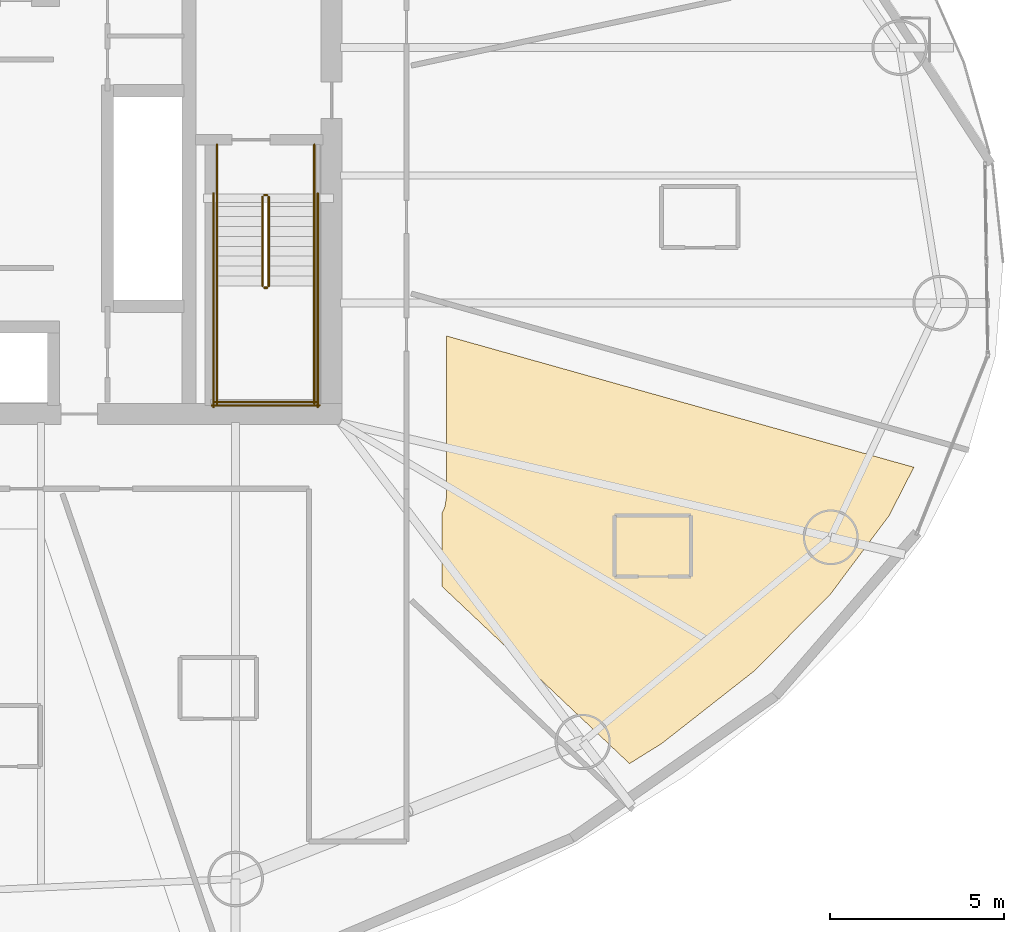
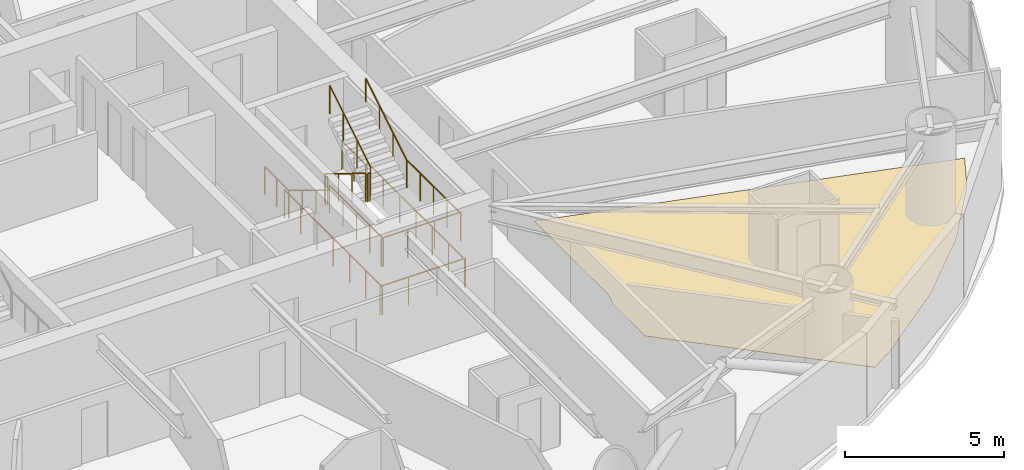
# One storey, part 25 of 26: 14 railings, 1 covering.
"""IFC4 building model written with IfcOpenShell, lengths in metres."""

import ifcopenshell
import ifcopenshell.guid

model = None  # the IFC model being written
_history = None  # IfcOwnerHistory: only IFC2X3 demands one
_inside = {}  # id of a spatial element -> (the spatial element, [elements in it])
_under = {}  # id of a project, library or spatial element -> (it, [spatial elements below it])
_declared = {}  # id of a project -> (the project, [libraries it declares])
_typed = {}  # id of a type object -> (the type object, [elements of that type])
_made_of = {}  # id of a material, layer set ... -> (it, [elements and type objects made of it])


def new_model(schema):
    """Start an empty IFC model of exactly this schema.

    Asked for "IFC4X3", IfcOpenShell would pick the latest addendum, in which some entities
    have other attributes; the version numbers below select the first issue.
    IFC2X3 requires an IfcOwnerHistory on every rooted entity: one is made here for all.
    """
    global model, _history
    if schema == "IFC4X3":
        model = ifcopenshell.file(schema_version=(4, 3, 0, 0))
    else:
        model = ifcopenshell.file(schema=schema)
    _inside.clear()
    _under.clear()
    _declared.clear()
    _typed.clear()
    _made_of.clear()
    _history = None
    if model.schema == "IFC2X3":
        org = make("IfcOrganization", Name="unknown")
        user = make(
            "IfcPersonAndOrganization",
            ThePerson=make("IfcPerson", FamilyName="unknown"),
            TheOrganization=org,
        )
        app = make(
            "IfcApplication",
            ApplicationDeveloper=org,
            Version="unknown",
            ApplicationFullName="unknown",
            ApplicationIdentifier="unknown",
        )
        _history = make(
            "IfcOwnerHistory",
            OwningUser=user,
            OwningApplication=app,
            ChangeAction="ADDED",
            CreationDate=0,
        )
    return model


def make(cls, **values):
    """One entity of the class cls with the attributes given. An attribute that is None is left unset."""
    return model.create_entity(
        cls, **{name: value for name, value in values.items() if value is not None}
    )


def rooted(cls, **values):
    """An entity with a GlobalId (a new one), such as an element, a storey or a relation."""
    return make(cls, GlobalId=ifcopenshell.guid.new(), OwnerHistory=_history, **values)


def si_unit(unit_type, name, prefix=None):
    """IfcSIUnit, for example si_unit("LENGTHUNIT", "METRE", prefix="MILLI")."""
    return make("IfcSIUnit", UnitType=unit_type, Prefix=prefix, Name=name)


def assignment(units):
    """IfcUnitAssignment: the units of a project."""
    return None if units is None else make("IfcUnitAssignment", Units=units)


def point(xyz):
    """IfcCartesianPoint."""
    return None if xyz is None else make("IfcCartesianPoint", Coordinates=xyz)


def direction(xyz):
    """IfcDirection."""
    return None if xyz is None else make("IfcDirection", DirectionRatios=xyz)


def frame(location, z_axis=None, x_axis=None):
    """IfcAxis2Placement3D, a coordinate frame: its origin and axes. An axis left out is left unset."""
    return make(
        "IfcAxis2Placement3D",
        Location=point(location),
        Axis=direction(z_axis),
        RefDirection=direction(x_axis),
    )


def frame_2d(location, x_axis=None):
    """IfcAxis2Placement2D, a coordinate frame in the plane: its origin and x axis."""
    return make(
        "IfcAxis2Placement2D", Location=point(location), RefDirection=direction(x_axis)
    )


def origin():
    """The frame at (0, 0, 0) with its axes left unset."""
    return frame((0.0, 0.0, 0.0))


def origin_2d():
    """The frame at (0, 0) in the plane with its x axis left unset."""
    return frame_2d((0.0, 0.0))


def place(relative_to, where):
    """IfcLocalPlacement: puts the frame where relative to a parent placement (None: the world)."""
    return make(
        "IfcLocalPlacement", PlacementRelTo=relative_to, RelativePlacement=where
    )


def context(
    kind, dimensions, precision=None, world=None, true_north=None, identifier=None
):
    """IfcGeometricRepresentationContext, for example the 3D "Model" context."""
    return make(
        "IfcGeometricRepresentationContext",
        ContextIdentifier=identifier,
        ContextType=kind,
        CoordinateSpaceDimension=dimensions,
        Precision=precision,
        WorldCoordinateSystem=world,
        TrueNorth=true_north,
    )


def subcontext(parent, identifier, kind, view, scale=None):
    """IfcGeometricRepresentationSubContext, for example "Body" below "Model"."""
    return make(
        "IfcGeometricRepresentationSubContext",
        ContextIdentifier=identifier,
        ContextType=kind,
        ParentContext=parent,
        TargetScale=scale,
        TargetView=view,
    )


def project(units=None, contexts=None):
    """IfcProject with its units and contexts."""
    return rooted(
        "IfcProject",
        Name="project",
        RepresentationContexts=contexts,
        UnitsInContext=assignment(units),
    )


def spatial(cls, under=None, at=None, **own):
    """A site, building, storey or space (cls), placed at a placement, below another one or the project."""
    s = rooted(cls, ObjectPlacement=at, **own)
    if under is not None:
        _under.setdefault(under.id(), (under, []))[1].append(s)
    return s


def polyline(points):
    """IfcPolyline through the points."""
    return make("IfcPolyline", Points=[point(p) for p in points])


def profile(cls, at=None, kind="AREA", **sizes):
    """A parametric profile (cls). Its sizes go by their IFC names, for example OverallWidth=200.0."""
    return make(cls, ProfileType=kind, Position=at, **sizes)


def circle(**sizes):
    """IfcCircleProfileDef."""
    return profile("IfcCircleProfileDef", **sizes)


def outline(outer, holes=None, kind="AREA"):
    """IfcArbitraryClosedProfileDef: a profile drawn as a closed curve; with holes, ...WithVoids."""
    if holes is None:
        return make("IfcArbitraryClosedProfileDef", ProfileType=kind, OuterCurve=outer)
    return make(
        "IfcArbitraryProfileDefWithVoids",
        ProfileType=kind,
        OuterCurve=outer,
        InnerCurves=holes,
    )


def extrude(swept, where, along, depth):
    """IfcExtrudedAreaSolid: the profile swept, set in the frame where, extruded along a direction by depth."""
    return make(
        "IfcExtrudedAreaSolid",
        SweptArea=swept,
        Position=where,
        ExtrudedDirection=direction(along),
        Depth=depth,
    )


def shape(context_of_items, identifier, shape_type, items):
    """IfcShapeRepresentation: the items that make up one representation, for example the "Body"."""
    return make(
        "IfcShapeRepresentation",
        ContextOfItems=context_of_items,
        RepresentationIdentifier=identifier,
        RepresentationType=shape_type,
        Items=items,
    )


def material(Name=None, Category=None):
    """IfcMaterial."""
    return make("IfcMaterial", Name=Name, Category=Category)


def layer(
    of_material, thickness, ventilated=None, Name=None, Category=None, Priority=None
):
    """IfcMaterialLayer: one layer of a wall or slab, of a material (None: an air gap)."""
    return make(
        "IfcMaterialLayer",
        Material=of_material,
        LayerThickness=thickness,
        IsVentilated=ventilated,
        Name=Name,
        Category=Category,
        Priority=Priority,
    )


def layer_set(layers, Name=None):
    """IfcMaterialLayerSet."""
    return make("IfcMaterialLayerSet", MaterialLayers=layers, LayerSetName=Name)


def made_of(thing, what):
    """Note that an element or type object is made of a material, layer set ...; save() writes the relation."""
    if what is not None:
        _made_of.setdefault(what.id(), (what, []))[1].append(thing)
    return thing


def type_object(cls, material=None, **own):
    """A type object (cls), such as IfcWallType, which elements share."""
    return made_of(rooted(cls, **own), material)


def element(
    cls,
    number,
    at=None,
    inside=None,
    cuts=None,
    type_object=None,
    material=None,
    context=None,
    identifier="Body",
    shape_type=None,
    held_by="IfcProductDefinitionShape",
    body=None,
    shapes=None,
    **own,
):
    """One element of the class cls, such as IfcWall. Its Tag is "e" and its number.

    at: its placement. inside: the storey or other place that contains it. cuts: it is an
    opening in that element (IfcRelVoidsElement). A single representation is given by context,
    identifier, shape_type and body (its items); several are given by shapes. held_by: the class
    of the entity that holds the representations. save() writes the other relations.
    """
    e = rooted(cls, Tag="e%d" % number, ObjectPlacement=at, **own)
    if body is not None:
        shapes = [shape(context, identifier, shape_type, body)]
    if shapes is not None:
        e.Representation = make(held_by, Representations=shapes)
    if inside is not None:
        _inside.setdefault(inside.id(), (inside, []))[1].append(e)
    if cuts is not None:
        rooted(
            "IfcRelVoidsElement", RelatingBuildingElement=cuts, RelatedOpeningElement=e
        )
    if type_object is not None:
        _typed.setdefault(type_object.id(), (type_object, []))[1].append(e)
    return made_of(e, material)


def aggregate(whole, parts):
    """IfcRelAggregates: a whole, such as a stair, and the parts it consists of."""
    return rooted("IfcRelAggregates", RelatingObject=whole, RelatedObjects=parts)


def save(model, path):
    """Write the relations noted so far, then the file.

    IfcRelAggregates (storeys below a building ...), IfcRelContainedInSpatialStructure (elements
    in a storey), IfcRelDefinesByType, IfcRelAssociatesMaterial and IfcRelDeclares: one each for
    every whole, place, type object, material and project.
    """
    for whole, parts in _under.values():
        aggregate(whole, parts)
    for where, things in _inside.values():
        rooted(
            "IfcRelContainedInSpatialStructure",
            RelatedElements=things,
            RelatingStructure=where,
        )
    for kind, things in _typed.values():
        rooted("IfcRelDefinesByType", RelatedObjects=things, RelatingType=kind)
    for what, things in _made_of.values():
        rooted("IfcRelAssociatesMaterial", RelatedObjects=things, RelatingMaterial=what)
    for by, libraries in _declared.values():
        rooted("IfcRelDeclares", RelatingContext=by, RelatedDefinitions=libraries)
    model.write(path)


model = new_model("IFC4")

# Units and contexts
model_context = context("Model", 3, precision=1e-05, world=origin(), true_north=direction((0.0, 1.0)))
body_context = subcontext(model_context, "Body", "Model", "MODEL_VIEW")
ifc_project = project(units=[si_unit("LENGTHUNIT", "METRE"), si_unit("AREAUNIT", "SQUARE_METRE"), si_unit("VOLUMEUNIT", "CUBIC_METRE"), si_unit("PLANEANGLEUNIT", "RADIAN"), si_unit("MASSUNIT", "GRAM", prefix="KILO")], contexts=[model_context])

# Site, building, storey
site_placement = place(None, origin())
site = spatial("IfcSite", under=ifc_project, at=site_placement, CompositionType="ELEMENT")
building_placement = place(site_placement, origin())
building = spatial("IfcBuilding", under=site, at=building_placement, Name="Bramvorn Convention Spire", CompositionType="ELEMENT")
storey_placement = place(building_placement, frame((0.0, 0.0, 76.39990234375)))
storey = spatial("IfcBuildingStorey", under=building, at=storey_placement, Name="L17", CompositionType="ELEMENT", Elevation=76.39990234375)

# Covering
ifc_material_1 = material(Name="Solution-Dyed Wool Broadloom Hospitality Carpet", Category="textile")
ifc_layer = layer(ifc_material_1, 0.014892578125)
ifc_layer_set = layer_set([ifc_layer], Name="Solution-Dyed Wool Broadloom Hospitality Carpet - FLR-CARPET-15")
covering_type = type_object("IfcCoveringType", Name="FLR-CARPET-15", PredefinedType="FLOORING", material=ifc_layer_set)
covering_placement = place(storey_placement, origin())
element("IfcCovering", 1, at=covering_placement, inside=storey, type_object=covering_type, Name="Hotel Suite 1712 wool broadloom carpet", PredefinedType="FLOORING", context=body_context, shape_type="SweptSolid", body=[
    extrude(outline(polyline([(52.169921875, 13.845703125), (57.568115234375, 8.74365234375), (58.49462890625, 9.3203125), (61.1376953125, 11.392578125), (63.330078125, 13.5908203125), (65.037109375, 15.87744140625), (65.74951171875, 17.26904296875), (52.300048828125, 21.047607421875), (52.300048828125, 16.39990234375), (52.26123046875, 16.138671875), (52.169921875, 15.936279296875), (52.169921875, 13.845703125)])), origin(), (0.0, 0.0, 1.0), 0.01513671875),
])

# Railings
ifc_material_2 = material(Name="Painted Steel Balustrade & Guardrail", Category="steel")
railing_type_1 = type_object("IfcRailingType", Name="RL-STAIR-GUARD-1100", PredefinedType="GUARDRAIL", material=ifc_material_2)
railing_1_placement = place(storey_placement, frame((47.010009765625, 25.050048828125, 0.175048828125)))
element("IfcRailing", 2, at=railing_1_placement, inside=storey, type_object=railing_type_1, Name="L17 ST2 stair guard 1", PredefinedType="GUARDRAIL", context=body_context, shape_type="SweptSolid", body=[
    extrude(circle(Radius=0.02392578125, at=origin_2d()), frame((0.0, 0.0, 1.076171875), z_axis=(0.0, -0.852173129349, 0.523259933127), x_axis=(1.0, 0.0, 0.0)), (0.0, 0.0, 1.0), 3.009765625),
    extrude(circle(Radius=0.02099609375, at=origin_2d()), origin(), (0.0, 0.0, 1.0), 1.052001953125),
    extrude(circle(Radius=0.02099609375, at=origin_2d()), frame((0.0, -0.85498046875, 0.52490234375)), (0.0, 0.0, 1.0), 1.052001953125),
    extrude(circle(Radius=0.02099609375, at=origin_2d()), frame((0.0, -1.7099609375, 1.050048828125)), (0.0, 0.0, 1.0), 1.052001953125),
    extrude(circle(Radius=0.02099609375, at=origin_2d()), frame((0.0, -2.56494140625, 1.574951171875)), (0.0, 0.0, 1.0), 1.052001953125),
])
railing_2_placement = place(storey_placement, frame((47.06005859375, 22.43505859375, 1.75)))
element("IfcRailing", 3, at=railing_2_placement, inside=storey, type_object=railing_type_1, Name="L17 ST2 stair guard 2", PredefinedType="GUARDRAIL", context=body_context, shape_type="SweptSolid", body=[
    extrude(circle(Radius=0.02392578125, at=origin_2d()), frame((0.0, 0.0, 1.076171875), z_axis=(1.0, 0.0, 0.0), x_axis=(0.0, 1.0, 0.0)), (0.0, 0.0, 1.0), 0.079833984375),
    extrude(circle(Radius=0.02099609375, at=origin_2d()), origin(), (0.0, 0.0, 1.0), 1.052001953125),
    extrude(circle(Radius=0.02099609375, at=origin_2d()), frame((0.079833984375, 0.0, 0.0)), (0.0, 0.0, 1.0), 1.052001953125),
])
for number, where, name in (
    (4, (45.699951171875, 22.485107421875, 1.75), "L17 ST2 stair guard 3"),
    (5, (48.5, 22.485107421875, 1.75), "L17 ST2 stair guard 4"),
):
    element("IfcRailing", number, at=place(storey_placement, frame(where)), inside=storey, type_object=railing_type_1, Name=name, PredefinedType="GUARDRAIL", context=body_context, shape_type="SweptSolid", body=[
        extrude(circle(Radius=0.02392578125, at=origin_2d()), frame((0.0, 0.0, 1.076171875), z_axis=(0.0, -1.0, 0.0), x_axis=(1.0, 0.0, 0.0)), (0.0, 0.0, 1.0), 3.385009765625),
        extrude(circle(Radius=0.02099609375, at=origin_2d()), origin(), (0.0, 0.0, 1.0), 1.052001953125),
        extrude(circle(Radius=0.02099609375, at=origin_2d()), frame((0.0, -0.84619140625, 0.0)), (0.0, 0.0, 1.0), 1.052001953125),
        extrude(circle(Radius=0.02099609375, at=origin_2d()), frame((0.0, -1.6923828125, 0.0)), (0.0, 0.0, 1.0), 1.052001953125),
        extrude(circle(Radius=0.02099609375, at=origin_2d()), frame((0.0, -2.538818359375, 0.0)), (0.0, 0.0, 1.0), 1.052001953125),
        extrude(circle(Radius=0.02099609375, at=origin_2d()), frame((0.0, -3.385009765625, 0.0)), (0.0, 0.0, 1.0), 1.052001953125),
    ])
railing_3_placement = place(storey_placement, frame((45.64990234375, 19.14990234375, 1.75)))
element("IfcRailing", 6, at=railing_3_placement, inside=storey, type_object=railing_type_1, Name="L17 ST2 stair guard 5", PredefinedType="GUARDRAIL", context=body_context, shape_type="SweptSolid", body=[
    extrude(circle(Radius=0.02392578125, at=origin_2d()), frame((0.0, 0.0, 1.076171875), z_axis=(1.0, 0.0, 0.0), x_axis=(0.0, 1.0, 0.0)), (0.0, 0.0, 1.0), 2.900146484375),
    extrude(circle(Radius=0.02099609375, at=origin_2d()), origin(), (0.0, 0.0, 1.0), 1.052001953125),
    extrude(circle(Radius=0.02099609375, at=origin_2d()), frame((0.966796875, 0.0, 0.0)), (0.0, 0.0, 1.0), 1.052001953125),
    extrude(circle(Radius=0.02099609375, at=origin_2d()), frame((1.933349609375, 0.0, 0.0)), (0.0, 0.0, 1.0), 1.052001953125),
    extrude(circle(Radius=0.02099609375, at=origin_2d()), frame((2.900146484375, 0.0, 0.0)), (0.0, 0.0, 1.0), 1.052001953125),
])
railing_4_placement = place(storey_placement, frame((47.18994140625, 22.485107421875, 1.925048828125)))
element("IfcRailing", 7, at=railing_4_placement, inside=storey, type_object=railing_type_1, Name="L17 ST2 stair guard 6", PredefinedType="GUARDRAIL", context=body_context, shape_type="SweptSolid", body=[
    extrude(circle(Radius=0.02392578125, at=origin_2d()), frame((0.0, 0.0, 1.076171875), z_axis=(0.0, 0.852173129349, 0.523259933127), x_axis=(-1.0, 0.0, 0.0)), (0.0, 0.0, 1.0), 3.009765625),
    extrude(circle(Radius=0.02099609375, at=origin_2d()), origin(), (0.0, 0.0, 1.0), 1.052001953125),
    extrude(circle(Radius=0.02099609375, at=origin_2d()), frame((0.0, 0.85498046875, 0.52490234375)), (0.0, 0.0, 1.0), 1.052001953125),
    extrude(circle(Radius=0.02099609375, at=origin_2d()), frame((0.0, 1.7099609375, 1.050048828125)), (0.0, 0.0, 1.0), 1.052001953125),
    extrude(circle(Radius=0.02099609375, at=origin_2d()), frame((0.0, 2.56494140625, 1.574951171875)), (0.0, 0.0, 1.0), 1.052001953125),
])
railing_5_placement = place(storey_placement, frame((47.06005859375, 25.10009765625, 0.0)))
element("IfcRailing", 8, at=railing_5_placement, inside=storey, type_object=railing_type_1, Name="L17 ST2 stair guard 7", PredefinedType="GUARDRAIL", context=body_context, shape_type="SweptSolid", body=[
    extrude(circle(Radius=0.02392578125, at=origin_2d()), frame((0.0, 0.0, 1.076171875), z_axis=(1.0, 0.0, 0.0), x_axis=(0.0, 1.0, 0.0)), (0.0, 0.0, 1.0), 0.079833984375),
    extrude(circle(Radius=0.02099609375, at=origin_2d()), origin(), (0.0, 0.0, 1.0), 1.052001953125),
    extrude(circle(Radius=0.02099609375, at=origin_2d()), frame((0.079833984375, 0.0, 0.0)), (0.0, 0.0, 1.0), 1.052001953125),
])
for number, where, name in (
    (9, (45.699951171875, 26.550048828125, 0.0), "L17 ST2 stair guard 8"),
    (10, (48.5, 26.550048828125, 0.0), "L17 ST2 stair guard 9"),
):
    element("IfcRailing", number, at=place(storey_placement, frame(where)), inside=storey, type_object=railing_type_1, Name=name, PredefinedType="GUARDRAIL", context=body_context, shape_type="SweptSolid", body=[
        extrude(circle(Radius=0.02392578125, at=origin_2d()), frame((0.0, 0.0, 1.076171875), z_axis=(0.0, -1.0, 0.0), x_axis=(1.0, 0.0, 0.0)), (0.0, 0.0, 1.0), 1.5),
        extrude(circle(Radius=0.02099609375, at=origin_2d()), origin(), (0.0, 0.0, 1.0), 1.052001953125),
        extrude(circle(Radius=0.02099609375, at=origin_2d()), frame((0.0, -0.75, 0.0)), (0.0, 0.0, 1.0), 1.052001953125),
        extrude(circle(Radius=0.02099609375, at=origin_2d()), frame((0.0, -1.5, 0.0)), (0.0, 0.0, 1.0), 1.052001953125),
    ])
for number, where, name in (
    (11, (45.60009765625, 25.14990234375, 0.0), "L17 ST2 stair guard 10"),
    (12, (48.60009765625, 25.14990234375, 0.0), "L17 ST2 stair guard 11"),
):
    element("IfcRailing", number, at=place(storey_placement, frame(where)), inside=storey, type_object=railing_type_1, Name=name, PredefinedType="GUARDRAIL", context=body_context, shape_type="SweptSolid", body=[
        extrude(circle(Radius=0.02392578125, at=origin_2d()), frame((0.0, 0.0, 1.076171875), z_axis=(0.0, -1.0, 0.0), x_axis=(1.0, 0.0, 0.0)), (0.0, 0.0, 1.0), 6.14990234375),
        extrude(circle(Radius=0.02099609375, at=origin_2d()), origin(), (0.0, 0.0, 1.0), 1.052001953125),
        extrude(circle(Radius=0.02099609375, at=origin_2d()), frame((0.0, -1.02490234375, 0.0)), (0.0, 0.0, 1.0), 1.052001953125),
        extrude(circle(Radius=0.02099609375, at=origin_2d()), frame((0.0, -2.050048828125, 0.0)), (0.0, 0.0, 1.0), 1.052001953125),
        extrude(circle(Radius=0.02099609375, at=origin_2d()), frame((0.0, -3.074951171875, 0.0)), (0.0, 0.0, 1.0), 1.052001953125),
        extrude(circle(Radius=0.02099609375, at=origin_2d()), frame((0.0, -4.099853515625, 0.0)), (0.0, 0.0, 1.0), 1.052001953125),
        extrude(circle(Radius=0.02099609375, at=origin_2d()), frame((0.0, -5.125, 0.0)), (0.0, 0.0, 1.0), 1.052001953125),
        extrude(circle(Radius=0.02099609375, at=origin_2d()), frame((0.0, -6.14990234375, 0.0)), (0.0, 0.0, 1.0), 1.052001953125),
    ])
railing_6_placement = place(storey_placement, frame((45.550048828125, 19.050048828125, 0.0)))
element("IfcRailing", 13, at=railing_6_placement, inside=storey, type_object=railing_type_1, Name="L17 ST2 stair guard 12", PredefinedType="GUARDRAIL", context=body_context, shape_type="SweptSolid", body=[
    extrude(circle(Radius=0.02392578125, at=origin_2d()), frame((0.0, 0.0, 1.076171875), z_axis=(1.0, 0.0, 0.0), x_axis=(0.0, 1.0, 0.0)), (0.0, 0.0, 1.0), 3.099853515625),
    extrude(circle(Radius=0.02099609375, at=origin_2d()), origin(), (0.0, 0.0, 1.0), 1.052001953125),
    extrude(circle(Radius=0.02099609375, at=origin_2d()), frame((1.033203125, 0.0, 0.0)), (0.0, 0.0, 1.0), 1.052001953125),
    extrude(circle(Radius=0.02099609375, at=origin_2d()), frame((2.066650390625, 0.0, 0.0)), (0.0, 0.0, 1.0), 1.052001953125),
    extrude(circle(Radius=0.02099609375, at=origin_2d()), frame((3.099853515625, 0.0, 0.0)), (0.0, 0.0, 1.0), 1.052001953125),
])
ifc_material_3 = material(Name="Brushed Bronze Tubular Handrail", Category="aluminium")
railing_type_2 = type_object("IfcRailingType", Name="RL-STAIR-HR-920", PredefinedType="HANDRAIL", material=ifc_material_3)
railing_7_placement = place(storey_placement, frame((45.699951171875, 25.050048828125, 0.175048828125)))
element("IfcRailing", 14, at=railing_7_placement, inside=storey, type_object=railing_type_2, Name="L17 ST2 stair handrail 1", PredefinedType="HANDRAIL", context=body_context, shape_type="SweptSolid", body=[
    extrude(circle(Radius=0.02392578125, at=origin_2d()), frame((0.0, 0.0, 0.89599609375), z_axis=(0.0, -0.852173129349, 0.523259933127), x_axis=(1.0, 0.0, 0.0)), (0.0, 0.0, 1.0), 3.009765625),
    extrude(circle(Radius=0.02099609375, at=origin_2d()), origin(), (0.0, 0.0, 1.0), 0.871826171875),
    extrude(circle(Radius=0.02099609375, at=origin_2d()), frame((0.0, -0.85498046875, 0.52490234375)), (0.0, 0.0, 1.0), 0.871826171875),
    extrude(circle(Radius=0.02099609375, at=origin_2d()), frame((0.0, -1.7099609375, 1.050048828125)), (0.0, 0.0, 1.0), 0.871826171875),
    extrude(circle(Radius=0.02099609375, at=origin_2d()), frame((0.0, -2.56494140625, 1.574951171875)), (0.0, 0.0, 1.0), 0.871826171875),
])
railing_8_placement = place(storey_placement, frame((48.5, 22.485107421875, 1.925048828125)))
element("IfcRailing", 15, at=railing_8_placement, inside=storey, type_object=railing_type_2, Name="L17 ST2 stair handrail 2", PredefinedType="HANDRAIL", context=body_context, shape_type="SweptSolid", body=[
    extrude(circle(Radius=0.02392578125, at=origin_2d()), frame((0.0, 0.0, 0.89599609375), z_axis=(0.0, 0.852173129349, 0.523259933127), x_axis=(-1.0, 0.0, 0.0)), (0.0, 0.0, 1.0), 3.009765625),
    extrude(circle(Radius=0.02099609375, at=origin_2d()), origin(), (0.0, 0.0, 1.0), 0.871826171875),
    extrude(circle(Radius=0.02099609375, at=origin_2d()), frame((0.0, 0.85498046875, 0.52490234375)), (0.0, 0.0, 1.0), 0.871826171875),
    extrude(circle(Radius=0.02099609375, at=origin_2d()), frame((0.0, 1.7099609375, 1.050048828125)), (0.0, 0.0, 1.0), 0.871826171875),
    extrude(circle(Radius=0.02099609375, at=origin_2d()), frame((0.0, 2.56494140625, 1.574951171875)), (0.0, 0.0, 1.0), 0.871826171875),
])

save(model, "model.ifc")
